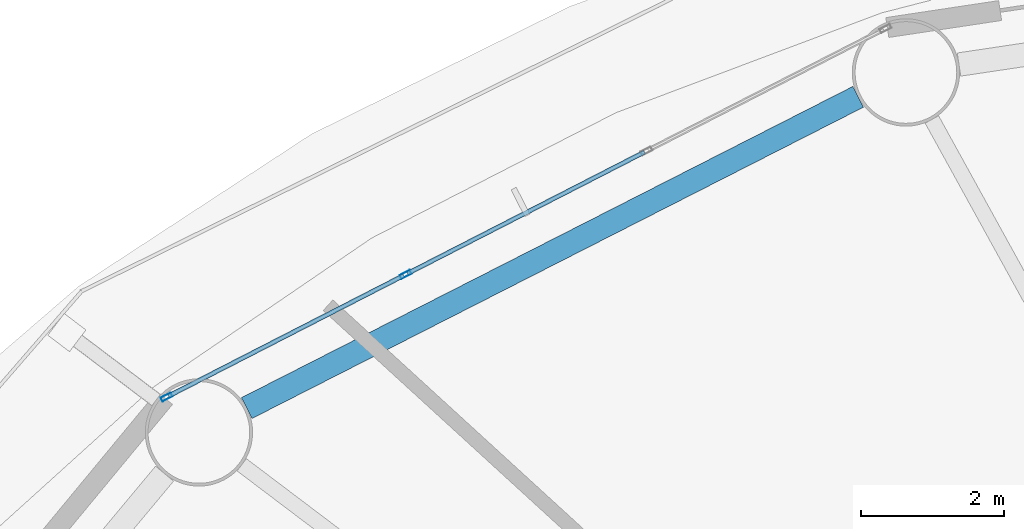
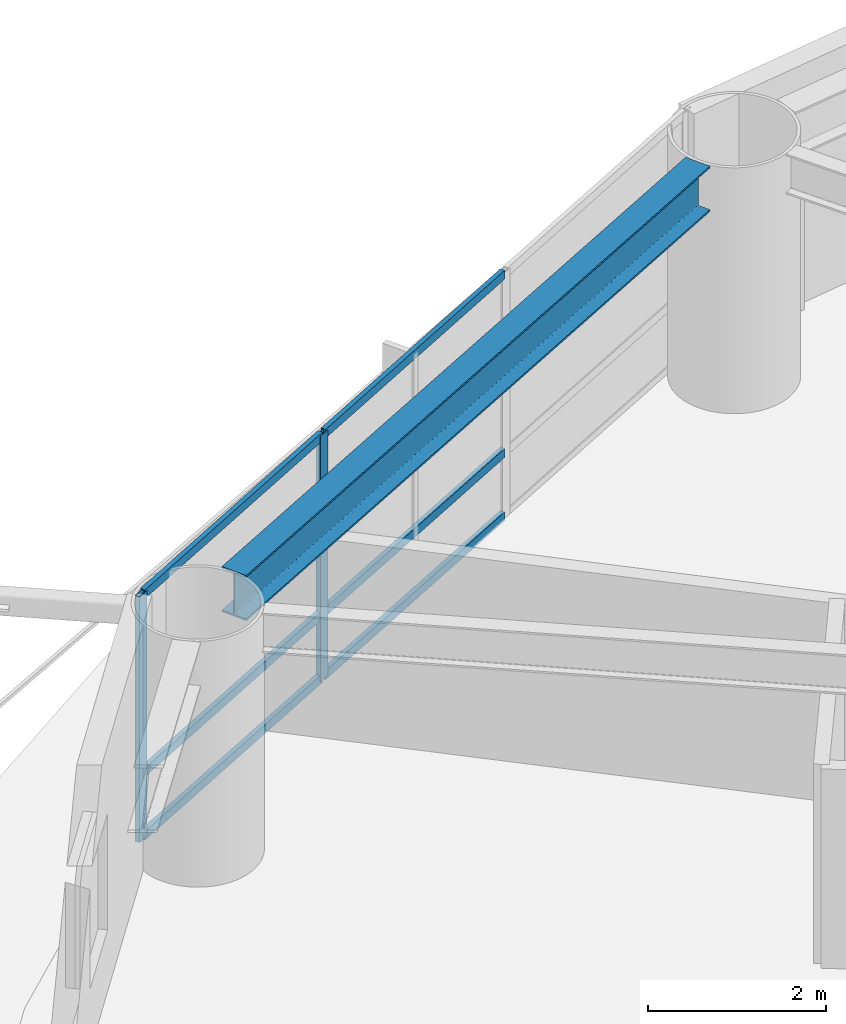
# One storey, part 10 of 28: 8 members, 1 beam, 1 element without a shape of its own.
"""IFC4 building model written with IfcOpenShell, lengths in metres."""

from ifc_helpers import new_model, si_unit, direction, frame, origin, origin_2d, place, context, subcontext, project, spatial, hollow_rectangle, i_section, extrude, material, layer, layer_set, material_profile, profile_set, type_object, element, aggregate, save


model = new_model("IFC4")

# Units and contexts
model_context = context("Model", 3, precision=1e-05, world=origin(), true_north=direction((0.0, 1.0)))
body_context = subcontext(model_context, "Body", "Model", "MODEL_VIEW")
ifc_project = project(units=[si_unit("LENGTHUNIT", "METRE"), si_unit("AREAUNIT", "SQUARE_METRE"), si_unit("VOLUMEUNIT", "CUBIC_METRE"), si_unit("PLANEANGLEUNIT", "RADIAN"), si_unit("MASSUNIT", "GRAM", prefix="KILO")], contexts=[model_context])

# Site, building, storey
site_placement = place(None, origin())
site = spatial("IfcSite", under=ifc_project, at=site_placement, CompositionType="ELEMENT")
building_placement = place(site_placement, origin())
building = spatial("IfcBuilding", under=site, at=building_placement, Name="Sarneth Arch Tower", CompositionType="ELEMENT")
storey_placement = place(building_placement, frame((0.0, 0.0, 67.800048828125)))
storey = spatial("IfcBuildingStorey", under=building, at=storey_placement, Name="L16", CompositionType="ELEMENT", Elevation=67.800048828125)

# Beam
ifc_material_1 = material(Name="Steel S355", Category="steel")
ifc_material_profile_1 = material_profile(ifc_material_1, i_section(OverallWidth=0.326904296875, OverallDepth=0.6220703125, WebThickness=0.015380859375, FlangeThickness=0.0244140625, FilletRadius=0.01904296875, at=origin_2d()), Name="W610x195")
ifc_profile_set_1 = profile_set([ifc_material_profile_1], Name="Steel S355")
beam_type = type_object("IfcBeamType", Name="BM-SPAN-610A", PredefinedType="SPANDREL", material=ifc_profile_set_1)
beam_placement = place(storey_placement, frame((35.513916015625, 63.09375, 3.06884765625), z_axis=(-0.891169106887, -0.453671271882, 0.0), x_axis=(0.453671271882, -0.891169106887, 0.0)))
element("IfcBeam", 1, at=beam_placement, inside=storey, type_object=beam_type, Name="L16 Perimeter spandrel beam 06", PredefinedType="SPANDREL", context=body_context, shape_type="SweptSolid", body=[
    extrude(i_section(OverallWidth=0.326904296875, OverallDepth=0.6220703125, WebThickness=0.015380859375, FlangeThickness=0.0244140625, FilletRadius=0.01904296875, at=origin_2d()), origin(), (0.0, 0.0, 1.0), 9.58544921875),
])

# Curtain wall, members
ifc_material_2 = material(Name="Anodised aluminium Type AA25 and solar-control low-e laminated IGU", Category="aluminium")
ifc_layer = layer(ifc_material_2, 0.159912109375)
ifc_layer_set = layer_set([ifc_layer], Name="Anodised aluminium Type AA25 and solar-control low-e laminated IGU")
curtain_wall_type = type_object("IfcCurtainWallType", Name="CW-HOTEL-LOW", PredefinedType="NOTDEFINED", material=ifc_layer_set)
curtain_wall_placement = place(storey_placement, origin())
curtain_wall = element("IfcCurtainWall", 2, at=curtain_wall_placement, inside=storey, type_object=curtain_wall_type, Name="L16 Unitised curtain wall facet 06", PredefinedType="NOTDEFINED")
ifc_material_3 = material(Name="Anodised Aluminium 6063-T6", Category="aluminium")
ifc_material_profile_2 = material_profile(ifc_material_3, hollow_rectangle(XDim=0.06005859375, YDim=0.159912109375, WallThickness=0.00390625, at=origin_2d()), Name="AL-MULL-160x60x4")
ifc_profile_set_2 = profile_set([ifc_material_profile_2], Name="Anodised Aluminium 6063-T6")
member_type_1 = type_object("IfcMemberType", Name="CW-MULLION", PredefinedType="MULLION", material=ifc_profile_set_2)
member_1_placement = place(storey_placement, frame((29.19140625, 60.611328125, 0.0), z_axis=(0.0, 0.0, 1.0), x_axis=(0.456245197127, -0.889854100456, 0.0)))
member_1 = element("IfcMember", 3, at=member_1_placement, type_object=member_type_1, Name="CW-SYS-3 mullion 3", PredefinedType="MULLION", context=body_context, shape_type="SweptSolid", body=[
    extrude(hollow_rectangle(XDim=0.06005859375, YDim=0.159912109375, WallThickness=0.00390625, at=origin_2d()), origin(), (0.0, 0.0, 1.0), 3.3798828125),
])
member_2_placement = place(storey_placement, frame((25.8525390625, 58.8994140625, 0.0), z_axis=(0.0, 0.0, 1.0), x_axis=(0.456245197127, -0.889854100456, 0.0)))
member_2 = element("IfcMember", 4, at=member_2_placement, type_object=member_type_1, Name="CW-SYS-3 mullion 4", PredefinedType="MULLION", context=body_context, shape_type="SweptSolid", body=[
    extrude(hollow_rectangle(XDim=0.06005859375, YDim=0.159912109375, WallThickness=0.00390625, at=origin_2d()), origin(), (0.0, 0.0, 1.0), 3.3798828125),
])
ifc_material_4 = material(Name="Anodised Aluminium 6063-T6", Category="aluminium")
ifc_material_profile_3 = material_profile(ifc_material_4, hollow_rectangle(XDim=0.06005859375, YDim=0.1201171875, WallThickness=0.00390625, at=origin_2d()), Name="AL-TRAN-120x60x4")
ifc_profile_set_3 = profile_set([ifc_material_profile_3], Name="Anodised Aluminium 6063-T6")
member_type_2 = type_object("IfcMemberType", Name="CW-TRANSOM", PredefinedType="USERDEFINED", material=ifc_profile_set_3)
member_3_placement = place(storey_placement, frame((32.530029296875, 62.322998046875, 0.030029296875), z_axis=(-0.889868677022, -0.456216766083, 0.0), x_axis=(0.456216766083, -0.889868677022, 0.0)))
member_3 = element("IfcMember", 5, at=member_3_placement, type_object=member_type_2, Name="CW-SYS-3 transom 2.1", ObjectType="TRANSOM", PredefinedType="USERDEFINED", context=body_context, shape_type="SweptSolid", body=[
    extrude(hollow_rectangle(XDim=0.06005859375, YDim=0.1201171875, WallThickness=0.00390625, at=origin_2d()), origin(), (0.0, 0.0, 1.0), 3.721923828125),
])
member_4_placement = place(storey_placement, frame((32.530029296875, 62.322998046875, 0.89990234375), z_axis=(-0.889868677022, -0.456216766083, 0.0), x_axis=(0.456216766083, -0.889868677022, 0.0)))
member_4 = element("IfcMember", 6, at=member_4_placement, type_object=member_type_2, Name="CW-SYS-3 transom 2.2", ObjectType="TRANSOM", PredefinedType="USERDEFINED", context=body_context, shape_type="SweptSolid", body=[
    extrude(hollow_rectangle(XDim=0.06005859375, YDim=0.1201171875, WallThickness=0.00390625, at=origin_2d()), origin(), (0.0, 0.0, 1.0), 3.721923828125),
])
member_5_placement = place(storey_placement, frame((32.530029296875, 62.322998046875, 3.349853515625), z_axis=(-0.889868677022, -0.456216766083, 0.0), x_axis=(0.456216766083, -0.889868677022, 0.0)))
member_5 = element("IfcMember", 7, at=member_5_placement, type_object=member_type_2, Name="CW-SYS-3 transom 2.3", ObjectType="TRANSOM", PredefinedType="USERDEFINED", context=body_context, shape_type="SweptSolid", body=[
    extrude(hollow_rectangle(XDim=0.06005859375, YDim=0.1201171875, WallThickness=0.00390625, at=origin_2d()), origin(), (0.0, 0.0, 1.0), 3.721923828125),
])
member_6_placement = place(storey_placement, frame((29.16455078125, 60.597412109375, 0.030029296875), z_axis=(-0.889871845224, -0.456210586327, 0.0), x_axis=(0.456210586327, -0.889871845224, 0.0)))
member_6 = element("IfcMember", 8, at=member_6_placement, type_object=member_type_2, Name="CW-SYS-3 transom 3.1", ObjectType="TRANSOM", PredefinedType="USERDEFINED", context=body_context, shape_type="SweptSolid", body=[
    extrude(hollow_rectangle(XDim=0.06005859375, YDim=0.1201171875, WallThickness=0.00390625, at=origin_2d()), origin(), (0.0, 0.0, 1.0), 3.69189453125),
])
member_7_placement = place(storey_placement, frame((29.16455078125, 60.597412109375, 0.89990234375), z_axis=(-0.889871845224, -0.456210586327, 0.0), x_axis=(0.456210586327, -0.889871845224, 0.0)))
member_7 = element("IfcMember", 9, at=member_7_placement, type_object=member_type_2, Name="CW-SYS-3 transom 3.2", ObjectType="TRANSOM", PredefinedType="USERDEFINED", context=body_context, shape_type="SweptSolid", body=[
    extrude(hollow_rectangle(XDim=0.06005859375, YDim=0.1201171875, WallThickness=0.00390625, at=origin_2d()), origin(), (0.0, 0.0, 1.0), 3.69189453125),
])
member_8_placement = place(storey_placement, frame((29.16455078125, 60.597412109375, 3.349853515625), z_axis=(-0.889871845224, -0.456210586327, 0.0), x_axis=(0.456210586327, -0.889871845224, 0.0)))
member_8 = element("IfcMember", 10, at=member_8_placement, type_object=member_type_2, Name="CW-SYS-3 transom 3.3", ObjectType="TRANSOM", PredefinedType="USERDEFINED", context=body_context, shape_type="SweptSolid", body=[
    extrude(hollow_rectangle(XDim=0.06005859375, YDim=0.1201171875, WallThickness=0.00390625, at=origin_2d()), origin(), (0.0, 0.0, 1.0), 3.69189453125),
])
aggregate(curtain_wall, [member_1, member_2, member_3, member_4, member_5, member_6, member_7, member_8])

save(model, "model.ifc")
